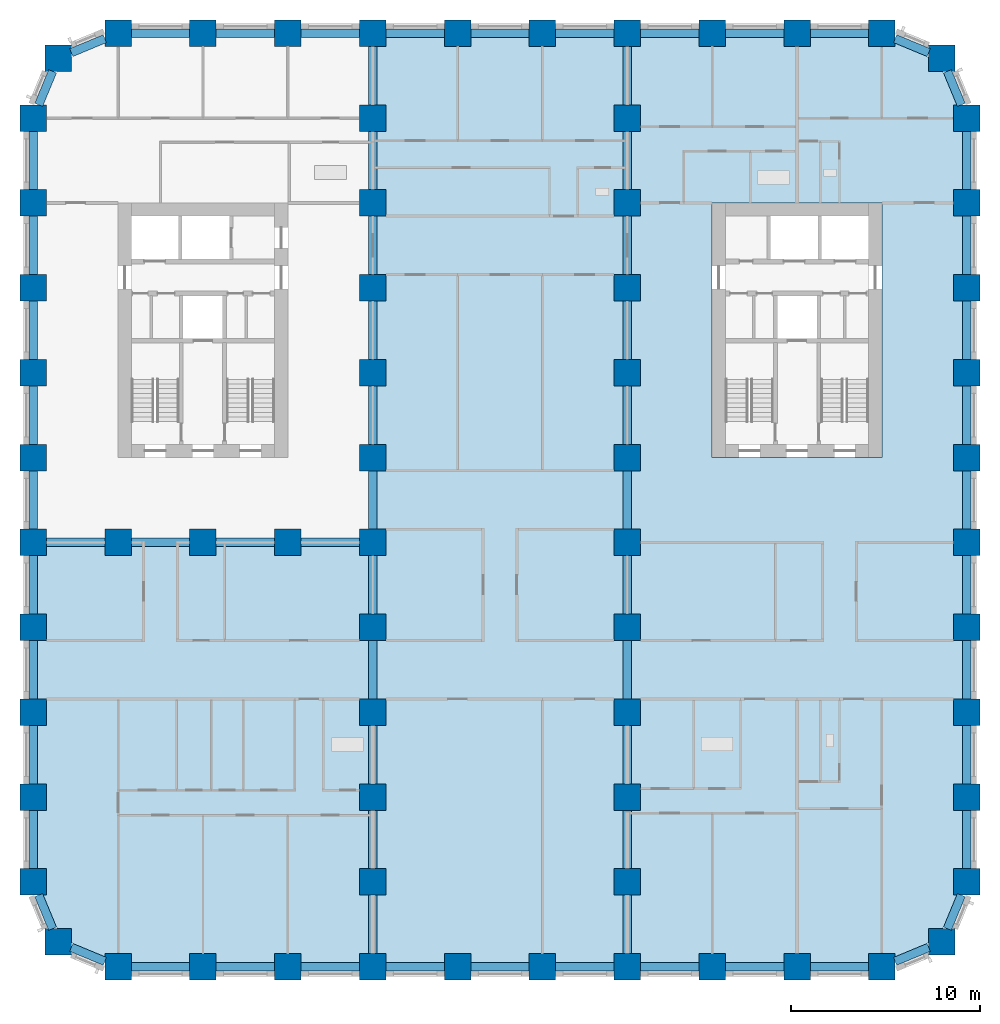
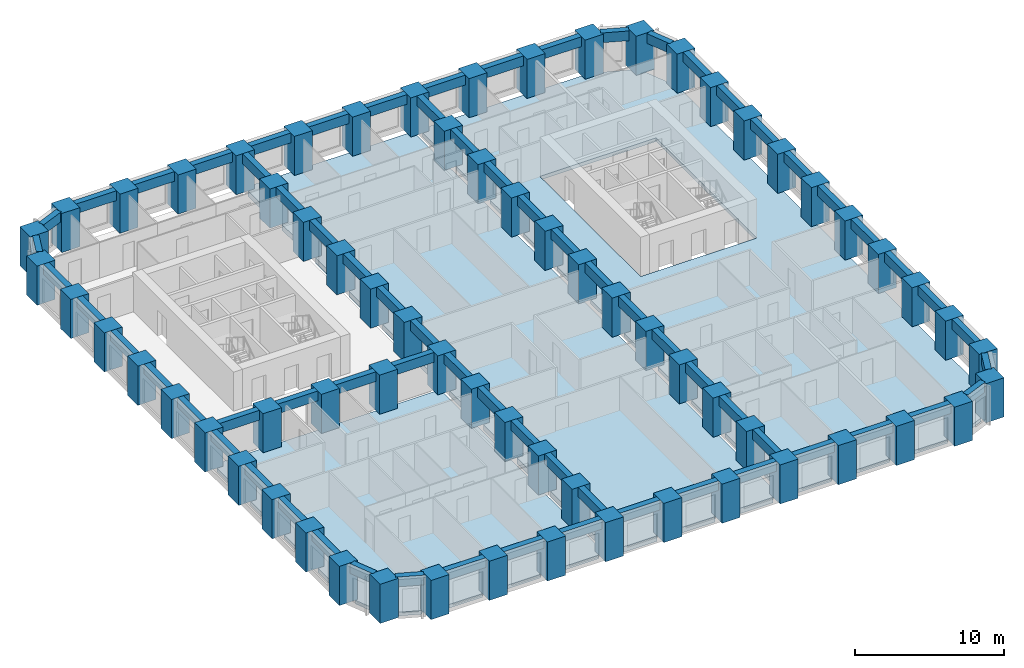
# One storey, part 1 of 13: 70 beams, 67 columns, 3 slabs.
"""IFC4 building model written with IfcOpenShell, lengths in metres."""

from ifc_helpers import new_model, si_unit, direction, frame, origin, origin_2d, place, context, subcontext, project, spatial, polyline, rectangle, outline, extrude, material, layer, layer_set, material_profile, profile_set, type_object, element, save


model = new_model("IFC4")

# Units and contexts
model_context = context("Model", 3, precision=1e-05, world=origin(), true_north=direction((0.0, 1.0)))
body_context = subcontext(model_context, "Body", "Model", "MODEL_VIEW")
ifc_project = project(units=[si_unit("LENGTHUNIT", "METRE"), si_unit("AREAUNIT", "SQUARE_METRE"), si_unit("VOLUMEUNIT", "CUBIC_METRE"), si_unit("PLANEANGLEUNIT", "RADIAN"), si_unit("MASSUNIT", "GRAM", prefix="KILO")], contexts=[model_context])

# Site, building, storey
site_placement = place(None, origin())
site = spatial("IfcSite", under=ifc_project, at=site_placement, CompositionType="ELEMENT")
building_placement = place(site_placement, origin())
building = spatial("IfcBuilding", under=site, at=building_placement, Name="Girih Gate Residences", CompositionType="ELEMENT")
storey_placement = place(building_placement, frame((0.0, 0.0, 43.199951171875)))
storey = spatial("IfcBuildingStorey", under=building, at=storey_placement, Name="L10", CompositionType="ELEMENT", Elevation=43.199951171875)

# Columns
ifc_material_1 = material(Name="Concrete C80/95", Category="concrete")
ifc_material_profile_1 = material_profile(ifc_material_1, rectangle(XDim=1.39990234375, YDim=1.39990234375, at=origin_2d()))
ifc_profile_set_1 = profile_set([ifc_material_profile_1], Name="Concrete C80/95")
column_type = type_object("IfcColumnType", Name="Pier RC 1400x1400 Concrete C80/95", PredefinedType="COLUMN", material=ifc_profile_set_1)
for number, where, z_axis, x_axis, name in (
    (1, (4.5, 0.0, 0.0), (0.0, 0.0, 1.0), (1.0, 0.0, 0.0), "Pier P2A L10"),
    (2, (9.0, 0.0, 0.0), (0.0, 0.0, 1.0), (1.0, 0.0, 0.0), "Pier P3A L10"),
    (3, (13.5, 0.0, 0.0), (0.0, 0.0, 1.0), (1.0, 0.0, 0.0), "Pier P4A L10"),
    (4, (18.0, 0.0, 0.0), (0.0, 0.0, 1.0), (1.0, 0.0, 0.0), "Pier P5A L10"),
    (5, (22.5, 0.0, 0.0), (0.0, 0.0, 1.0), (1.0, 0.0, 0.0), "Pier P6A L10"),
    (6, (27.0, 0.0, 0.0), (0.0, 0.0, 1.0), (1.0, 0.0, 0.0), "Pier P7A L10"),
    (7, (31.5, 0.0, 0.0), (0.0, 0.0, 1.0), (1.0, 0.0, 0.0), "Pier P8A L10"),
    (8, (36.0, 0.0, 0.0), (0.0, 0.0, 1.0), (1.0, 0.0, 0.0), "Pier P9A L10"),
    (9, (40.5, 0.0, 0.0), (0.0, 0.0, 1.0), (1.0, 0.0, 0.0), "Pier P10A L10"),
    (10, (45.0, 0.0, 0.0), (0.0, 0.0, 1.0), (1.0, 0.0, 0.0), "Pier P11A L10"),
    (11, (1.318115234375, 1.318115234375, 0.0), (0.0, 0.0, 1.0), (1.0, 0.0, 0.0), "Pier P1ANE L10"),
    (12, (48.181884765625, 1.318115234375, 0.0), (0.0, 0.0, 1.0), (1.0, 0.0, 0.0), "Pier P12ANW L10"),
    (13, (0.0, 4.5, 0.0), (0.0, 0.0, 1.0), (1.0, 0.0, 0.0), "Pier P1B L10"),
    (14, (18.0, 4.5, 0.0), (0.0, 0.0, 1.0), (1.0, 0.0, 0.0), "Pier P5B L10"),
    (15, (31.5, 4.5, 0.0), (0.0, 0.0, 1.0), (1.0, 0.0, 0.0), "Pier P8B L10"),
    (16, (49.5, 4.5, 0.0), (0.0, 0.0, 1.0), (1.0, 0.0, 0.0), "Pier P12B L10"),
    (17, (0.0, 9.0, 0.0), (0.0, 0.0, 1.0), (1.0, 0.0, 0.0), "Pier P1C L10"),
    (18, (18.0, 9.0, 0.0), (0.0, 0.0, 1.0), (1.0, 0.0, 0.0), "Pier P5C L10"),
    (19, (31.5, 9.0, 0.0), (0.0, 0.0, 1.0), (1.0, 0.0, 0.0), "Pier P8C L10"),
    (20, (49.5, 9.0, 0.0), (0.0, 0.0, 1.0), (1.0, 0.0, 0.0), "Pier P12C L10"),
    (21, (0.0, 13.5, 0.0), (0.0, 0.0, 1.0), (1.0, 0.0, 0.0), "Pier P1D L10"),
    (22, (18.0, 13.5, 0.0), (0.0, 0.0, 1.0), (1.0, 0.0, 0.0), "Pier P5D L10"),
    (23, (31.5, 13.5, 0.0), (0.0, 0.0, 1.0), (1.0, 0.0, 0.0), "Pier P8D L10"),
    (24, (49.5, 13.5, 0.0), (0.0, 0.0, 1.0), (1.0, 0.0, 0.0), "Pier P12D L10"),
    (25, (0.0, 18.0, 0.0), (0.0, 0.0, 1.0), (1.0, 0.0, 0.0), "Pier P1E L10"),
    (26, (18.0, 18.0, 0.0), (0.0, 0.0, 1.0), (1.0, 0.0, 0.0), "Pier P5E L10"),
    (27, (31.5, 18.0, 0.0), (0.0, 0.0, 1.0), (1.0, 0.0, 0.0), "Pier P8E L10"),
    (28, (49.5, 18.0, 0.0), (0.0, 0.0, 1.0), (1.0, 0.0, 0.0), "Pier P12E L10"),
    (29, (0.0, 22.5, 0.0), (0.0, 0.0, 1.0), (1.0, 0.0, 0.0), "Pier P1F L10"),
    (30, (4.5, 22.5, 0.0), (0.0, 0.0, 1.0), (1.0, 0.0, 0.0), "Pier P2F L10"),
    (31, (9.0, 22.5, 0.0), (0.0, 0.0, 1.0), (1.0, 0.0, 0.0), "Pier P3F L10"),
    (32, (13.5, 22.5, 0.0), (0.0, 0.0, 1.0), (1.0, 0.0, 0.0), "Pier P4F L10"),
    (33, (18.0, 22.5, 0.0), (0.0, 0.0, 1.0), (1.0, 0.0, 0.0), "Pier P5F L10"),
    (34, (31.5, 22.5, 0.0), (0.0, 0.0, 1.0), (1.0, 0.0, 0.0), "Pier P8F L10"),
    (35, (49.5, 22.5, 0.0), (0.0, 0.0, 1.0), (1.0, 0.0, 0.0), "Pier P12F L10"),
    (36, (0.0, 27.0, 0.0), (0.0, 0.0, 1.0), (1.0, 0.0, 0.0), "Pier P1G L10"),
    (37, (18.0, 27.0, 0.0), (0.0, 0.0, 1.0), (1.0, 0.0, 0.0), "Pier P5G L10"),
    (38, (31.5, 27.0, 0.0), (0.0, 0.0, 1.0), (1.0, 0.0, 0.0), "Pier P8G L10"),
    (39, (49.5, 27.0, 0.0), (0.0, 0.0, 1.0), (1.0, 0.0, 0.0), "Pier P12G L10"),
    (40, (0.0, 31.5, 0.0), (0.0, 0.0, 1.0), (1.0, 0.0, 0.0), "Pier P1H L10"),
    (41, (18.0, 31.5, 0.0), (0.0, 0.0, 1.0), (1.0, 0.0, 0.0), "Pier P5H L10"),
    (42, (31.5, 31.5, 0.0), (0.0, 0.0, 1.0), (1.0, 0.0, 0.0), "Pier P8H L10"),
    (43, (49.5, 31.5, 0.0), (0.0, 0.0, 1.0), (1.0, 0.0, 0.0), "Pier P12H L10"),
    (44, (0.0, 36.0, 0.0), (0.0, 0.0, 1.0), (1.0, 0.0, 0.0), "Pier P1I L10"),
    (45, (18.0, 36.0, 0.0), (0.0, 0.0, 1.0), (1.0, 0.0, 0.0), "Pier P5I L10"),
    (46, (31.5, 36.0, 0.0), (0.0, 0.0, 1.0), (1.0, 0.0, 0.0), "Pier P8I L10"),
    (47, (49.5, 36.0, 0.0), (0.0, 0.0, 1.0), (1.0, 0.0, 0.0), "Pier P12I L10"),
    (48, (0.0, 40.5, 0.0), (0.0, 0.0, 1.0), (1.0, 0.0, 0.0), "Pier P1J L10"),
    (49, (18.0, 40.5, 0.0), (0.0, 0.0, 1.0), (1.0, 0.0, 0.0), "Pier P5J L10"),
    (50, (31.5, 40.5, 0.0), (0.0, 0.0, 1.0), (1.0, 0.0, 0.0), "Pier P8J L10"),
    (51, (49.5, 40.5, 0.0), (0.0, 0.0, 1.0), (1.0, 0.0, 0.0), "Pier P12J L10"),
    (52, (0.0, 45.0, 0.0), (0.0, 0.0, 1.0), (1.0, 0.0, 0.0), "Pier P1K L10"),
    (53, (18.0, 45.0, 0.0), (0.0, 0.0, 1.0), (1.0, 0.0, 0.0), "Pier P5K L10"),
    (54, (31.5, 45.0, 0.0), (0.0, 0.0, 1.0), (1.0, 0.0, 0.0), "Pier P8K L10"),
    (55, (49.5, 45.0, 0.0), (0.0, 0.0, 1.0), (1.0, 0.0, 0.0), "Pier P12K L10"),
    (56, (1.318115234375, 48.181884765625, 0.0), (0.0, 0.0, 1.0), (1.0, 0.0, 0.0), "Pier P1LSE L10"),
    (57, (48.181884765625, 48.181884765625, 0.0), (0.0, 0.0, 1.0), (1.0, 0.0, 0.0), "Pier P12LSW L10"),
    (58, (4.5, 49.5, 0.0), (0.0, 0.0, 1.0), (1.0, 0.0, 0.0), "Pier P2L L10"),
    (59, (9.0, 49.5, 0.0), (0.0, 0.0, 1.0), (1.0, 0.0, 0.0), "Pier P3L L10"),
    (60, (13.5, 49.5, 0.0), (0.0, 0.0, 1.0), (1.0, 0.0, 0.0), "Pier P4L L10"),
    (61, (18.0, 49.5, 0.0), (0.0, 0.0, 1.0), (1.0, 0.0, 0.0), "Pier P5L L10"),
    (62, (22.5, 49.5, 0.0), (0.0, 0.0, 1.0), (1.0, 0.0, 0.0), "Pier P6L L10"),
    (63, (27.0, 49.5, 0.0), (0.0, 0.0, 1.0), (1.0, 0.0, 0.0), "Pier P7L L10"),
    (64, (31.5, 49.5, 0.0), (0.0, 0.0, 1.0), (1.0, 0.0, 0.0), "Pier P8L L10"),
    (65, (36.0, 49.5, 0.0), (0.0, 0.0, 1.0), (1.0, 0.0, 0.0), "Pier P9L L10"),
    (66, (40.5, 49.5, 0.0), (0.0, 0.0, 1.0), (1.0, 0.0, 0.0), "Pier P10L L10"),
    (67, (45.0, 49.5, 0.0), (0.0, 0.0, 1.0), (1.0, 0.0, 0.0), "Pier P11L L10"),
):
    element("IfcColumn", number, at=place(storey_placement, frame(where, z_axis=z_axis, x_axis=x_axis)), inside=storey, type_object=column_type, Name=name, PredefinedType="COLUMN", context=body_context, shape_type="SweptSolid", body=[
        extrude(rectangle(XDim=1.39990234375, YDim=1.39990234375, at=origin_2d()), origin(), (0.0, 0.0, 1.0), 3.199951171875),
    ])

# Beams
ifc_material_2 = material(Name="Concrete C60/75", Category="concrete")
ifc_material_profile_2 = material_profile(ifc_material_2, rectangle(XDim=0.449951171875, YDim=0.800048828125, at=origin_2d()))
ifc_profile_set_2 = profile_set([ifc_material_profile_2], Name="Concrete C60/75")
beam_type = type_object("IfcBeamType", Name="Spandrel girder RC 450x800 Concrete C60/75", PredefinedType="BEAM", material=ifc_profile_set_2)
for number, where, z_axis, x_axis, name in (
    (68, (0.2900390625, 3.800048828125, 2.800048828125), (0.382646180293, -0.923894961945, 0.0), (0.923894961945, 0.382646180293, 0.0), "Spandrel girder SP-P1B-P1ANE L10"),
    (69, (2.01806640625, 1.028076171875, 2.800048828125), (0.923894961945, -0.382646180293, 0.0), (0.382646180293, 0.923894961945, 0.0), "Spandrel girder SP-P1ANE-P2A L10"),
):
    element("IfcBeam", number, at=place(storey_placement, frame(where, z_axis=z_axis, x_axis=x_axis)), inside=storey, type_object=beam_type, Name=name, PredefinedType="BEAM", context=body_context, shape_type="SweptSolid", body=[
        extrude(rectangle(XDim=0.449951171875, YDim=0.800048828125, at=origin_2d()), origin(), (0.0, 0.0, 1.0), 1.9287109375),
    ])
for number, where, z_axis, x_axis, name in (
    (70, (5.199951171875, 0.0, 2.800048828125), (1.0, 0.0, 0.0), (0.0, 1.0, 0.0), "Spandrel girder SP-P2A-P3A L10"),
    (71, (9.699951171875, 0.0, 2.800048828125), (1.0, 0.0, 0.0), (0.0, 1.0, 0.0), "Spandrel girder SP-P3A-P4A L10"),
    (72, (14.199951171875, 0.0, 2.800048828125), (1.0, 0.0, 0.0), (0.0, 1.0, 0.0), "Spandrel girder SP-P4A-P5A L10"),
    (73, (18.699951171875, 0.0, 2.800048828125), (1.0, 0.0, 0.0), (0.0, 1.0, 0.0), "Spandrel girder SP-P5A-P6A L10"),
    (74, (23.199951171875, 0.0, 2.800048828125), (1.0, 0.0, 0.0), (0.0, 1.0, 0.0), "Spandrel girder SP-P6A-P7A L10"),
    (75, (27.699951171875, 0.0, 2.800048828125), (1.0, 0.0, 0.0), (0.0, 1.0, 0.0), "Spandrel girder SP-P7A-P8A L10"),
    (76, (32.199951171875, 0.0, 2.800048828125), (1.0, 0.0, 0.0), (0.0, 1.0, 0.0), "Spandrel girder SP-P8A-P9A L10"),
    (77, (36.699951171875, 0.0, 2.800048828125), (1.0, 0.0, 0.0), (0.0, 1.0, 0.0), "Spandrel girder SP-P9A-P10A L10"),
    (78, (41.199951171875, 0.0, 2.800048828125), (1.0, 0.0, 0.0), (0.0, 1.0, 0.0), "Spandrel girder SP-P10A-P11A L10"),
):
    element("IfcBeam", number, at=place(storey_placement, frame(where, z_axis=z_axis, x_axis=x_axis)), inside=storey, type_object=beam_type, Name=name, PredefinedType="BEAM", context=body_context, shape_type="SweptSolid", body=[
        extrude(rectangle(XDim=0.449951171875, YDim=0.800048828125, at=origin_2d()), origin(), (0.0, 0.0, 1.0), 3.10009765625),
    ])
for number, where, z_axis, x_axis, name in (
    (79, (45.699951171875, 0.2900390625, 2.800048828125), (0.923894961945, 0.382646180293, 0.0), (-0.382646180293, 0.923894961945, 0.0), "Spandrel girder SP-P11A-P12ANW L10"),
    (80, (48.471923828125, 2.01806640625, 2.800048828125), (0.382646180293, 0.923894961945, 0.0), (-0.923894961945, 0.382646180293, 0.0), "Spandrel girder SP-P12ANW-P12B L10"),
):
    element("IfcBeam", number, at=place(storey_placement, frame(where, z_axis=z_axis, x_axis=x_axis)), inside=storey, type_object=beam_type, Name=name, PredefinedType="BEAM", context=body_context, shape_type="SweptSolid", body=[
        extrude(rectangle(XDim=0.449951171875, YDim=0.800048828125, at=origin_2d()), origin(), (0.0, 0.0, 1.0), 1.9287109375),
    ])
for number, where, z_axis, x_axis, name in (
    (81, (49.5, 5.199951171875, 2.800048828125), (0.0, 1.0, 0.0), (-1.0, 0.0, 0.0), "Spandrel girder SP-P12B-P12C L10"),
    (82, (49.5, 9.699951171875, 2.800048828125), (0.0, 1.0, 0.0), (-1.0, 0.0, 0.0), "Spandrel girder SP-P12C-P12D L10"),
    (83, (49.5, 14.199951171875, 2.800048828125), (0.0, 1.0, 0.0), (-1.0, 0.0, 0.0), "Spandrel girder SP-P12D-P12E L10"),
    (84, (49.5, 18.699951171875, 2.800048828125), (0.0, 1.0, 0.0), (-1.0, 0.0, 0.0), "Spandrel girder SP-P12E-P12F L10"),
    (85, (49.5, 23.199951171875, 2.800048828125), (0.0, 1.0, 0.0), (-1.0, 0.0, 0.0), "Spandrel girder SP-P12F-P12G L10"),
    (86, (49.5, 27.699951171875, 2.800048828125), (0.0, 1.0, 0.0), (-1.0, 0.0, 0.0), "Spandrel girder SP-P12G-P12H L10"),
    (87, (49.5, 32.199951171875, 2.800048828125), (0.0, 1.0, 0.0), (-1.0, 0.0, 0.0), "Spandrel girder SP-P12H-P12I L10"),
    (88, (49.5, 36.699951171875, 2.800048828125), (0.0, 1.0, 0.0), (-1.0, 0.0, 0.0), "Spandrel girder SP-P12I-P12J L10"),
    (89, (49.5, 41.199951171875, 2.800048828125), (0.0, 1.0, 0.0), (-1.0, 0.0, 0.0), "Spandrel girder SP-P12J-P12K L10"),
):
    element("IfcBeam", number, at=place(storey_placement, frame(where, z_axis=z_axis, x_axis=x_axis)), inside=storey, type_object=beam_type, Name=name, PredefinedType="BEAM", context=body_context, shape_type="SweptSolid", body=[
        extrude(rectangle(XDim=0.449951171875, YDim=0.800048828125, at=origin_2d()), origin(), (0.0, 0.0, 1.0), 3.10009765625),
    ])
for number, where, z_axis, x_axis, name in (
    (90, (49.2099609375, 45.699951171875, 2.800048828125), (-0.382646180293, 0.923894961945, 0.0), (-0.923894961945, -0.382646180293, 0.0), "Spandrel girder SP-P12K-P12LSW L10"),
    (91, (47.48193359375, 48.471923828125, 2.800048828125), (-0.923894961945, 0.382646180293, 0.0), (-0.382646180293, -0.923894961945, 0.0), "Spandrel girder SP-P12LSW-P11L L10"),
):
    element("IfcBeam", number, at=place(storey_placement, frame(where, z_axis=z_axis, x_axis=x_axis)), inside=storey, type_object=beam_type, Name=name, PredefinedType="BEAM", context=body_context, shape_type="SweptSolid", body=[
        extrude(rectangle(XDim=0.449951171875, YDim=0.800048828125, at=origin_2d()), origin(), (0.0, 0.0, 1.0), 1.9287109375),
    ])
for number, where, z_axis, x_axis, name in (
    (92, (44.300048828125, 49.5, 2.800048828125), (-1.0, 0.0, 0.0), (0.0, -1.0, 0.0), "Spandrel girder SP-P11L-P10L L10"),
    (93, (39.800048828125, 49.5, 2.800048828125), (-1.0, 0.0, 0.0), (0.0, -1.0, 0.0), "Spandrel girder SP-P10L-P9L L10"),
    (94, (35.300048828125, 49.5, 2.800048828125), (-1.0, 0.0, 0.0), (0.0, -1.0, 0.0), "Spandrel girder SP-P9L-P8L L10"),
    (95, (30.800048828125, 49.5, 2.800048828125), (-1.0, 0.0, 0.0), (0.0, -1.0, 0.0), "Spandrel girder SP-P8L-P7L L10"),
    (96, (26.300048828125, 49.5, 2.800048828125), (-1.0, 0.0, 0.0), (0.0, -1.0, 0.0), "Spandrel girder SP-P7L-P6L L10"),
    (97, (21.800048828125, 49.5, 2.800048828125), (-1.0, 0.0, 0.0), (0.0, -1.0, 0.0), "Spandrel girder SP-P6L-P5L L10"),
    (98, (17.300048828125, 49.5, 2.800048828125), (-1.0, 0.0, 0.0), (0.0, -1.0, 0.0), "Spandrel girder SP-P5L-P4L L10"),
    (99, (12.800048828125, 49.5, 2.800048828125), (-1.0, 0.0, 0.0), (0.0, -1.0, 0.0), "Spandrel girder SP-P4L-P3L L10"),
    (100, (8.300048828125, 49.5, 2.800048828125), (-1.0, 0.0, 0.0), (0.0, -1.0, 0.0), "Spandrel girder SP-P3L-P2L L10"),
):
    element("IfcBeam", number, at=place(storey_placement, frame(where, z_axis=z_axis, x_axis=x_axis)), inside=storey, type_object=beam_type, Name=name, PredefinedType="BEAM", context=body_context, shape_type="SweptSolid", body=[
        extrude(rectangle(XDim=0.449951171875, YDim=0.800048828125, at=origin_2d()), origin(), (0.0, 0.0, 1.0), 3.10009765625),
    ])
for number, where, z_axis, x_axis, name in (
    (101, (3.800048828125, 49.2099609375, 2.800048828125), (-0.923894961945, -0.382646180293, 0.0), (0.382646180293, -0.923894961945, 0.0), "Spandrel girder SP-P2L-P1LSE L10"),
    (102, (1.028076171875, 47.48193359375, 2.800048828125), (-0.382646180293, -0.923894961945, 0.0), (0.923894961945, -0.382646180293, 0.0), "Spandrel girder SP-P1LSE-P1K L10"),
):
    element("IfcBeam", number, at=place(storey_placement, frame(where, z_axis=z_axis, x_axis=x_axis)), inside=storey, type_object=beam_type, Name=name, PredefinedType="BEAM", context=body_context, shape_type="SweptSolid", body=[
        extrude(rectangle(XDim=0.449951171875, YDim=0.800048828125, at=origin_2d()), origin(), (0.0, 0.0, 1.0), 1.9287109375),
    ])
for number, where, z_axis, x_axis, name in (
    (103, (0.0, 44.300048828125, 2.800048828125), (0.0, -1.0, 0.0), (1.0, 0.0, 0.0), "Spandrel girder SP-P1K-P1J L10"),
    (104, (0.0, 39.800048828125, 2.800048828125), (0.0, -1.0, 0.0), (1.0, 0.0, 0.0), "Spandrel girder SP-P1J-P1I L10"),
    (105, (0.0, 35.300048828125, 2.800048828125), (0.0, -1.0, 0.0), (1.0, 0.0, 0.0), "Spandrel girder SP-P1I-P1H L10"),
    (106, (0.0, 30.800048828125, 2.800048828125), (0.0, -1.0, 0.0), (1.0, 0.0, 0.0), "Spandrel girder SP-P1H-P1G L10"),
    (107, (0.0, 26.300048828125, 2.800048828125), (0.0, -1.0, 0.0), (1.0, 0.0, 0.0), "Spandrel girder SP-P1G-P1F L10"),
    (108, (0.0, 21.800048828125, 2.800048828125), (0.0, -1.0, 0.0), (1.0, 0.0, 0.0), "Spandrel girder SP-P1F-P1E L10"),
    (109, (0.0, 17.300048828125, 2.800048828125), (0.0, -1.0, 0.0), (1.0, 0.0, 0.0), "Spandrel girder SP-P1E-P1D L10"),
    (110, (0.0, 12.800048828125, 2.800048828125), (0.0, -1.0, 0.0), (1.0, 0.0, 0.0), "Spandrel girder SP-P1D-P1C L10"),
    (111, (0.0, 8.300048828125, 2.800048828125), (0.0, -1.0, 0.0), (1.0, 0.0, 0.0), "Spandrel girder SP-P1C-P1B L10"),
    (112, (18.0, 0.699951171875, 2.800048828125), (0.0, 1.0, 0.0), (-1.0, 0.0, 0.0), "Spandrel girder SP-P5A-P5B L10"),
    (113, (18.0, 5.199951171875, 2.800048828125), (0.0, 1.0, 0.0), (-1.0, 0.0, 0.0), "Spandrel girder SP-P5B-P5C L10"),
    (114, (18.0, 9.699951171875, 2.800048828125), (0.0, 1.0, 0.0), (-1.0, 0.0, 0.0), "Spandrel girder SP-P5C-P5D L10"),
    (115, (18.0, 14.199951171875, 2.800048828125), (0.0, 1.0, 0.0), (-1.0, 0.0, 0.0), "Spandrel girder SP-P5D-P5E L10"),
    (116, (18.0, 18.699951171875, 2.800048828125), (0.0, 1.0, 0.0), (-1.0, 0.0, 0.0), "Spandrel girder SP-P5E-P5F L10"),
    (117, (18.0, 23.199951171875, 2.800048828125), (0.0, 1.0, 0.0), (-1.0, 0.0, 0.0), "Spandrel girder SP-P5F-P5G L10"),
    (118, (18.0, 27.699951171875, 2.800048828125), (0.0, 1.0, 0.0), (-1.0, 0.0, 0.0), "Spandrel girder SP-P5G-P5H L10"),
    (119, (18.0, 32.199951171875, 2.800048828125), (0.0, 1.0, 0.0), (-1.0, 0.0, 0.0), "Spandrel girder SP-P5H-P5I L10"),
    (120, (18.0, 36.699951171875, 2.800048828125), (0.0, 1.0, 0.0), (-1.0, 0.0, 0.0), "Spandrel girder SP-P5I-P5J L10"),
    (121, (18.0, 41.199951171875, 2.800048828125), (0.0, 1.0, 0.0), (-1.0, 0.0, 0.0), "Spandrel girder SP-P5J-P5K L10"),
    (122, (18.0, 45.699951171875, 2.800048828125), (0.0, 1.0, 0.0), (-1.0, 0.0, 0.0), "Spandrel girder SP-P5K-P5L L10"),
    (123, (31.5, 0.699951171875, 2.800048828125), (0.0, 1.0, 0.0), (-1.0, 0.0, 0.0), "Spandrel girder SP-P8A-P8B L10"),
    (124, (31.5, 5.199951171875, 2.800048828125), (0.0, 1.0, 0.0), (-1.0, 0.0, 0.0), "Spandrel girder SP-P8B-P8C L10"),
    (125, (31.5, 9.699951171875, 2.800048828125), (0.0, 1.0, 0.0), (-1.0, 0.0, 0.0), "Spandrel girder SP-P8C-P8D L10"),
    (126, (31.5, 14.199951171875, 2.800048828125), (0.0, 1.0, 0.0), (-1.0, 0.0, 0.0), "Spandrel girder SP-P8D-P8E L10"),
    (127, (31.5, 18.699951171875, 2.800048828125), (0.0, 1.0, 0.0), (-1.0, 0.0, 0.0), "Spandrel girder SP-P8E-P8F L10"),
    (128, (31.5, 23.199951171875, 2.800048828125), (0.0, 1.0, 0.0), (-1.0, 0.0, 0.0), "Spandrel girder SP-P8F-P8G L10"),
    (129, (31.5, 27.699951171875, 2.800048828125), (0.0, 1.0, 0.0), (-1.0, 0.0, 0.0), "Spandrel girder SP-P8G-P8H L10"),
    (130, (31.5, 32.199951171875, 2.800048828125), (0.0, 1.0, 0.0), (-1.0, 0.0, 0.0), "Spandrel girder SP-P8H-P8I L10"),
    (131, (31.5, 36.699951171875, 2.800048828125), (0.0, 1.0, 0.0), (-1.0, 0.0, 0.0), "Spandrel girder SP-P8I-P8J L10"),
    (132, (31.5, 41.199951171875, 2.800048828125), (0.0, 1.0, 0.0), (-1.0, 0.0, 0.0), "Spandrel girder SP-P8J-P8K L10"),
    (133, (31.5, 45.699951171875, 2.800048828125), (0.0, 1.0, 0.0), (-1.0, 0.0, 0.0), "Spandrel girder SP-P8K-P8L L10"),
    (134, (0.699951171875, 22.5, 2.800048828125), (1.0, 0.0, 0.0), (0.0, 1.0, 0.0), "Spandrel girder SP-P1F-P2F L10"),
    (135, (5.199951171875, 22.5, 2.800048828125), (1.0, 0.0, 0.0), (0.0, 1.0, 0.0), "Spandrel girder SP-P2F-P3F L10"),
    (136, (9.699951171875, 22.5, 2.800048828125), (1.0, 0.0, 0.0), (0.0, 1.0, 0.0), "Spandrel girder SP-P3F-P4F L10"),
    (137, (14.199951171875, 22.5, 2.800048828125), (1.0, 0.0, 0.0), (0.0, 1.0, 0.0), "Spandrel girder SP-P4F-P5F L10"),
):
    element("IfcBeam", number, at=place(storey_placement, frame(where, z_axis=z_axis, x_axis=x_axis)), inside=storey, type_object=beam_type, Name=name, PredefinedType="BEAM", context=body_context, shape_type="SweptSolid", body=[
        extrude(rectangle(XDim=0.449951171875, YDim=0.800048828125, at=origin_2d()), origin(), (0.0, 0.0, 1.0), 3.10009765625),
    ])

# Slabs
ifc_material_3 = material(Name="Concrete C40/50", Category="concrete")
ifc_layer_1 = layer(ifc_material_3, 0.300048828125)
ifc_layer_set_1 = layer_set([ifc_layer_1], Name="Floor slab PT 300 Concrete C40/50")
slab_type_1 = type_object("IfcSlabType", Name="Floor slab PT 300 Concrete C40/50", PredefinedType="FLOOR", material=ifc_layer_set_1)
slab_1_placement = place(storey_placement, frame((0.0, 0.0, -0.300048828125)))
element("IfcSlab", 138, at=slab_1_placement, inside=storey, type_object=slab_type_1, Name="Floor slab L10 0", PredefinedType="FLOOR", context=body_context, shape_type="SweptSolid", body=[
    extrude(outline(polyline([(0.22509765625, 8.300048828125), (0.22509765625, 5.199951171875), (0.699951171875, 5.199951171875), (0.699951171875, 3.800048828125), (0.533447265625, 3.800048828125), (1.271728515625, 2.01806640625), (2.01806640625, 2.01806640625), (2.01806640625, 1.271728515625), (3.800048828125, 0.533447265625), (3.800048828125, 0.699951171875), (5.199951171875, 0.699951171875), (5.199951171875, 0.22509765625), (8.300048828125, 0.22509765625), (8.300048828125, 0.699951171875), (9.699951171875, 0.699951171875), (9.699951171875, 0.22509765625), (12.800048828125, 0.22509765625), (12.800048828125, 0.699951171875), (14.199951171875, 0.699951171875), (14.199951171875, 0.22509765625), (17.300048828125, 0.22509765625), (17.300048828125, 0.699951171875), (17.77490234375, 0.699951171875), (17.77490234375, 3.800048828125), (17.300048828125, 3.800048828125), (17.300048828125, 5.199951171875), (17.77490234375, 5.199951171875), (17.77490234375, 8.300048828125), (17.300048828125, 8.300048828125), (17.300048828125, 9.699951171875), (17.77490234375, 9.699951171875), (17.77490234375, 12.800048828125), (17.300048828125, 12.800048828125), (17.300048828125, 14.199951171875), (17.77490234375, 14.199951171875), (17.77490234375, 17.300048828125), (17.300048828125, 17.300048828125), (17.300048828125, 18.699951171875), (17.77490234375, 18.699951171875), (17.77490234375, 21.800048828125), (17.300048828125, 21.800048828125), (17.300048828125, 22.27490234375), (14.199951171875, 22.27490234375), (14.199951171875, 21.800048828125), (12.800048828125, 21.800048828125), (12.800048828125, 22.27490234375), (9.699951171875, 22.27490234375), (9.699951171875, 21.800048828125), (8.300048828125, 21.800048828125), (8.300048828125, 22.27490234375), (5.199951171875, 22.27490234375), (5.199951171875, 21.800048828125), (3.800048828125, 21.800048828125), (3.800048828125, 22.27490234375), (0.699951171875, 22.27490234375), (0.699951171875, 21.800048828125), (0.22509765625, 21.800048828125), (0.22509765625, 18.699951171875), (0.699951171875, 18.699951171875), (0.699951171875, 17.300048828125), (0.22509765625, 17.300048828125), (0.22509765625, 14.199951171875), (0.699951171875, 14.199951171875), (0.699951171875, 12.800048828125), (0.22509765625, 12.800048828125), (0.22509765625, 9.699951171875), (0.699951171875, 9.699951171875), (0.699951171875, 8.300048828125), (0.22509765625, 8.300048828125)])), origin(), (0.0, 0.0, 1.0), 0.300048828125),
])
slab_2_placement = place(storey_placement, frame((0.0, 0.0, -0.300048828125)))
element("IfcSlab", 139, at=slab_2_placement, inside=storey, type_object=slab_type_1, Name="Floor slab L10 1", PredefinedType="FLOOR", context=body_context, shape_type="SweptSolid", body=[
    extrude(outline(polyline([(35.300048828125, 49.27490234375), (32.199951171875, 49.27490234375), (32.199951171875, 48.800048828125), (31.72509765625, 48.800048828125), (31.72509765625, 45.699951171875), (32.199951171875, 45.699951171875), (32.199951171875, 44.300048828125), (31.72509765625, 44.300048828125), (31.72509765625, 41.199951171875), (32.199951171875, 41.199951171875), (32.199951171875, 39.800048828125), (31.72509765625, 39.800048828125), (31.72509765625, 36.699951171875), (32.199951171875, 36.699951171875), (32.199951171875, 35.300048828125), (31.72509765625, 35.300048828125), (31.72509765625, 32.199951171875), (32.199951171875, 32.199951171875), (32.199951171875, 30.800048828125), (31.72509765625, 30.800048828125), (31.72509765625, 27.699951171875), (32.199951171875, 27.699951171875), (32.199951171875, 26.300048828125), (31.72509765625, 26.300048828125), (31.72509765625, 23.199951171875), (32.199951171875, 23.199951171875), (32.199951171875, 21.800048828125), (31.72509765625, 21.800048828125), (31.72509765625, 18.699951171875), (32.199951171875, 18.699951171875), (32.199951171875, 17.300048828125), (31.72509765625, 17.300048828125), (31.72509765625, 14.199951171875), (32.199951171875, 14.199951171875), (32.199951171875, 12.800048828125), (31.72509765625, 12.800048828125), (31.72509765625, 9.699951171875), (32.199951171875, 9.699951171875), (32.199951171875, 8.300048828125), (31.72509765625, 8.300048828125), (31.72509765625, 5.199951171875), (32.199951171875, 5.199951171875), (32.199951171875, 3.800048828125), (31.72509765625, 3.800048828125), (31.72509765625, 0.699951171875), (32.199951171875, 0.699951171875), (32.199951171875, 0.22509765625), (35.300048828125, 0.22509765625), (35.300048828125, 0.699951171875), (36.699951171875, 0.699951171875), (36.699951171875, 0.22509765625), (39.800048828125, 0.22509765625), (39.800048828125, 0.699951171875), (41.199951171875, 0.699951171875), (41.199951171875, 0.22509765625), (44.300048828125, 0.22509765625), (44.300048828125, 0.699951171875), (45.699951171875, 0.699951171875), (45.699951171875, 0.533447265625), (47.48193359375, 1.271728515625), (47.48193359375, 2.01806640625), (48.228271484375, 2.01806640625), (48.966552734375, 3.800048828125), (48.800048828125, 3.800048828125), (48.800048828125, 5.199951171875), (49.27490234375, 5.199951171875), (49.27490234375, 8.300048828125), (48.800048828125, 8.300048828125), (48.800048828125, 9.699951171875), (49.27490234375, 9.699951171875), (49.27490234375, 12.800048828125), (48.800048828125, 12.800048828125), (48.800048828125, 14.199951171875), (49.27490234375, 14.199951171875), (49.27490234375, 17.300048828125), (48.800048828125, 17.300048828125), (48.800048828125, 18.699951171875), (49.27490234375, 18.699951171875), (49.27490234375, 21.800048828125), (48.800048828125, 21.800048828125), (48.800048828125, 23.199951171875), (49.27490234375, 23.199951171875), (49.27490234375, 26.300048828125), (48.800048828125, 26.300048828125), (48.800048828125, 27.699951171875), (49.27490234375, 27.699951171875), (49.27490234375, 30.800048828125), (48.800048828125, 30.800048828125), (48.800048828125, 32.199951171875), (49.27490234375, 32.199951171875), (49.27490234375, 35.300048828125), (48.800048828125, 35.300048828125), (48.800048828125, 36.699951171875), (49.27490234375, 36.699951171875), (49.27490234375, 39.800048828125), (48.800048828125, 39.800048828125), (48.800048828125, 41.199951171875), (49.27490234375, 41.199951171875), (49.27490234375, 44.300048828125), (48.800048828125, 44.300048828125), (48.800048828125, 45.699951171875), (48.966552734375, 45.699951171875), (48.228271484375, 47.48193359375), (47.48193359375, 47.48193359375), (47.48193359375, 48.228271484375), (45.699951171875, 48.966552734375), (45.699951171875, 48.800048828125), (44.300048828125, 48.800048828125), (44.300048828125, 49.27490234375), (41.199951171875, 49.27490234375), (41.199951171875, 48.800048828125), (39.800048828125, 48.800048828125), (39.800048828125, 49.27490234375), (36.699951171875, 49.27490234375), (36.699951171875, 48.800048828125), (35.300048828125, 48.800048828125), (35.300048828125, 49.27490234375)]), holes=[polyline([(45.0, 40.5), (45.0, 27.0), (36.0, 27.0), (36.0, 40.5), (45.0, 40.5)])]), origin(), (0.0, 0.0, 1.0), 0.300048828125),
])
ifc_layer_2 = layer(ifc_material_3, 0.449951171875)
ifc_layer_set_2 = layer_set([ifc_layer_2], Name="Floor slab PT 450 Concrete C40/50")
slab_type_2 = type_object("IfcSlabType", Name="Floor slab PT 450 Concrete C40/50", PredefinedType="FLOOR", material=ifc_layer_set_2)
slab_3_placement = place(storey_placement, frame((0.0, 0.0, -0.449951171875)))
element("IfcSlab", 140, at=slab_3_placement, inside=storey, type_object=slab_type_2, Name="Floor slab L10 2", PredefinedType="FLOOR", context=body_context, shape_type="SweptSolid", body=[
    extrude(outline(polyline([(21.800048828125, 49.27490234375), (18.699951171875, 49.27490234375), (18.699951171875, 48.800048828125), (18.22509765625, 48.800048828125), (18.22509765625, 45.699951171875), (18.699951171875, 45.699951171875), (18.699951171875, 44.300048828125), (18.22509765625, 44.300048828125), (18.22509765625, 41.199951171875), (18.699951171875, 41.199951171875), (18.699951171875, 39.800048828125), (18.22509765625, 39.800048828125), (18.22509765625, 36.699951171875), (18.699951171875, 36.699951171875), (18.699951171875, 35.300048828125), (18.22509765625, 35.300048828125), (18.22509765625, 32.199951171875), (18.699951171875, 32.199951171875), (18.699951171875, 30.800048828125), (18.22509765625, 30.800048828125), (18.22509765625, 27.699951171875), (18.699951171875, 27.699951171875), (18.699951171875, 26.300048828125), (18.22509765625, 26.300048828125), (18.22509765625, 23.199951171875), (18.699951171875, 23.199951171875), (18.699951171875, 21.800048828125), (18.22509765625, 21.800048828125), (18.22509765625, 18.699951171875), (18.699951171875, 18.699951171875), (18.699951171875, 17.300048828125), (18.22509765625, 17.300048828125), (18.22509765625, 14.199951171875), (18.699951171875, 14.199951171875), (18.699951171875, 12.800048828125), (18.22509765625, 12.800048828125), (18.22509765625, 9.699951171875), (18.699951171875, 9.699951171875), (18.699951171875, 8.300048828125), (18.22509765625, 8.300048828125), (18.22509765625, 5.199951171875), (18.699951171875, 5.199951171875), (18.699951171875, 3.800048828125), (18.22509765625, 3.800048828125), (18.22509765625, 0.699951171875), (18.699951171875, 0.699951171875), (18.699951171875, 0.22509765625), (21.800048828125, 0.22509765625), (21.800048828125, 0.699951171875), (23.199951171875, 0.699951171875), (23.199951171875, 0.22509765625), (26.300048828125, 0.22509765625), (26.300048828125, 0.699951171875), (27.699951171875, 0.699951171875), (27.699951171875, 0.22509765625), (30.800048828125, 0.22509765625), (30.800048828125, 0.699951171875), (31.27490234375, 0.699951171875), (31.27490234375, 3.800048828125), (30.800048828125, 3.800048828125), (30.800048828125, 5.199951171875), (31.27490234375, 5.199951171875), (31.27490234375, 8.300048828125), (30.800048828125, 8.300048828125), (30.800048828125, 9.699951171875), (31.27490234375, 9.699951171875), (31.27490234375, 12.800048828125), (30.800048828125, 12.800048828125), (30.800048828125, 14.199951171875), (31.27490234375, 14.199951171875), (31.27490234375, 17.300048828125), (30.800048828125, 17.300048828125), (30.800048828125, 18.699951171875), (31.27490234375, 18.699951171875), (31.27490234375, 21.800048828125), (30.800048828125, 21.800048828125), (30.800048828125, 23.199951171875), (31.27490234375, 23.199951171875), (31.27490234375, 26.300048828125), (30.800048828125, 26.300048828125), (30.800048828125, 27.699951171875), (31.27490234375, 27.699951171875), (31.27490234375, 30.800048828125), (30.800048828125, 30.800048828125), (30.800048828125, 32.199951171875), (31.27490234375, 32.199951171875), (31.27490234375, 35.300048828125), (30.800048828125, 35.300048828125), (30.800048828125, 36.699951171875), (31.27490234375, 36.699951171875), (31.27490234375, 39.800048828125), (30.800048828125, 39.800048828125), (30.800048828125, 41.199951171875), (31.27490234375, 41.199951171875), (31.27490234375, 44.300048828125), (30.800048828125, 44.300048828125), (30.800048828125, 45.699951171875), (31.27490234375, 45.699951171875), (31.27490234375, 48.800048828125), (30.800048828125, 48.800048828125), (30.800048828125, 49.27490234375), (27.699951171875, 49.27490234375), (27.699951171875, 48.800048828125), (26.300048828125, 48.800048828125), (26.300048828125, 49.27490234375), (23.199951171875, 49.27490234375), (23.199951171875, 48.800048828125), (21.800048828125, 48.800048828125), (21.800048828125, 49.27490234375)])), origin(), (0.0, 0.0, 1.0), 0.449951171875),
])

save(model, "model.ifc")
